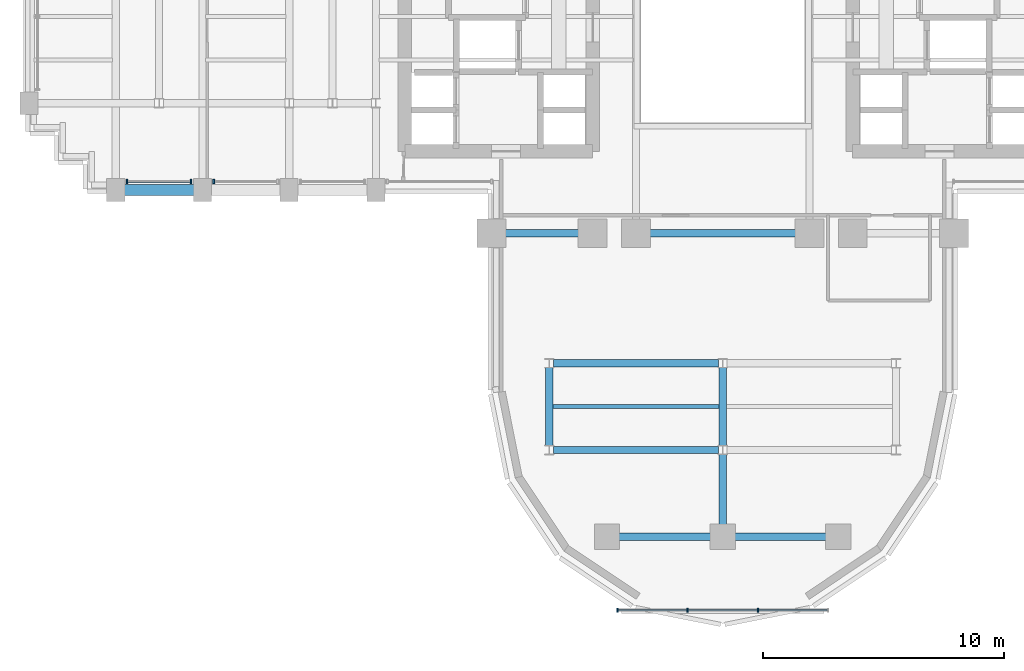
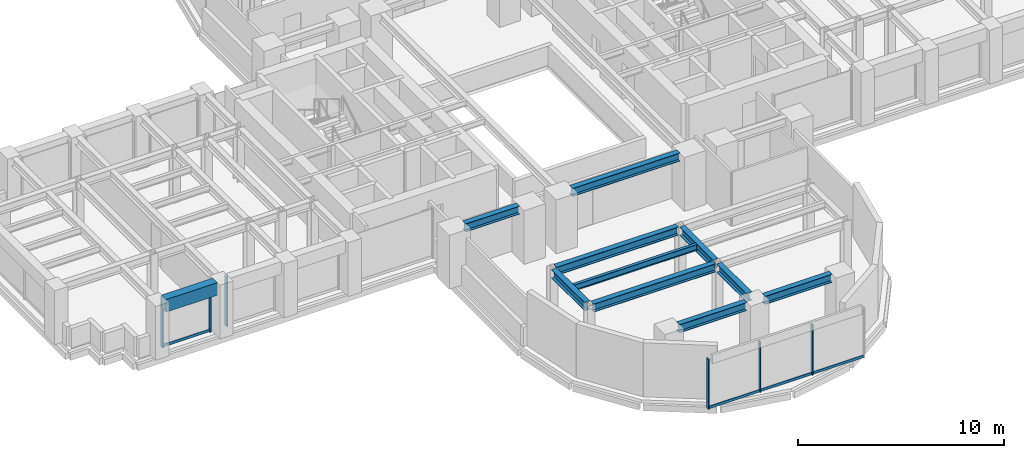
# One storey, part 3 of 16: 11 beams, 10 members, 3 elements without a shape of their own.
"""IFC4 building model written with IfcOpenShell, lengths in metres."""

from ifc_helpers import new_model, si_unit, direction, frame, origin, origin_2d, place, context, subcontext, project, spatial, rectangle, i_section, extrude, source, transform, mapped, material, material_profile, profile_set, type_object, element, aggregate, save


model = new_model("IFC4")

# Units and contexts
model_context = context("Model", 3, precision=1e-05, world=origin(), true_north=direction((0.0, 1.0)))
body_context = subcontext(model_context, "Body", "Model", "MODEL_VIEW")
ifc_project = project(units=[si_unit("LENGTHUNIT", "METRE"), si_unit("AREAUNIT", "SQUARE_METRE"), si_unit("VOLUMEUNIT", "CUBIC_METRE"), si_unit("PLANEANGLEUNIT", "RADIAN"), si_unit("MASSUNIT", "GRAM", prefix="KILO")], contexts=[model_context])

# Site, building, storey
site_placement = place(None, origin())
site = spatial("IfcSite", under=ifc_project, at=site_placement, CompositionType="ELEMENT")
building_placement = place(site_placement, origin())
building = spatial("IfcBuilding", under=site, at=building_placement, Name="Keilestroom Media Tower", CompositionType="ELEMENT")
storey_placement = place(building_placement, frame((0.0, 0.0, 68.0)))
storey = spatial("IfcBuildingStorey", under=building, at=storey_placement, Name="L17", CompositionType="ELEMENT", Elevation=68.0)

# Beams
ifc_material_1 = material(Name="Precast concrete C40/50", Category="concrete")
ifc_material_profile_1 = material_profile(ifc_material_1, rectangle(XDim=0.449951171875, YDim=0.75, at=origin_2d()), Name="PC 450x750")
ifc_profile_set_1 = profile_set([ifc_material_profile_1], Name="Precast concrete C40/50")
beam_type_1 = type_object("IfcBeamType", Name="Perimeter-Spandrel-Beam-PC-450x750", PredefinedType="SPANDREL", material=ifc_profile_set_1)
shared_shape_1 = source(origin(), body_context, "Body", "SweptSolid", [
    extrude(rectangle(XDim=0.449951171875, YDim=0.75, at=origin_2d()), origin(), (0.0, 0.0, 1.0), 2.889892578125),
])
beam_1_placement = place(storey_placement, frame((-24.844970703125, -7.199951171875, 2.824951171875), z_axis=(1.0, 0.0, 0.0), x_axis=(0.0, 1.0, 0.0)))
element("IfcBeam", 1, at=beam_1_placement, inside=storey, type_object=beam_type_1, Name="L17 Beam SPB-1 BM-L17-EW-012", PredefinedType="SPANDREL", context=body_context, shape_type="MappedRepresentation", body=[
    mapped(shared_shape_1, transform((0.0, 0.0, 0.0), x_axis=(1.0, 0.0, 0.0), y_axis=(0.0, 1.0, 0.0), z_axis=(0.0, 0.0, 1.0), scale=1.0)),
])
ifc_material_2 = material(Name="Steel S355", Category="steel")
ifc_material_profile_2 = material_profile(ifc_material_2, i_section(OverallWidth=0.300048828125, OverallDepth=0.5, WebThickness=0.012451171875, FlangeThickness=0.028076171875, at=origin_2d()), Name="HEB 500")
ifc_profile_set_2 = profile_set([ifc_material_profile_2], Name="Steel S355")
beam_type_2 = type_object("IfcBeamType", Name="Primary-Structural-Girder-HEB-500", PredefinedType="BEAM", material=ifc_profile_set_2)
shared_shape_2 = source(origin(), body_context, "Body", "SweptSolid", [
    extrude(i_section(OverallWidth=0.300048828125, OverallDepth=0.5, WebThickness=0.012451171875, FlangeThickness=0.028076171875, at=origin_2d()), origin(), (0.0, 0.0, 1.0), 3.23291015625),
])
for number, where, z_axis, x_axis, name in (
    (2, (-7.199951171875, -17.81640625, 2.949951171875), (0.0, 1.0, 0.0), (-1.0, 0.0, 0.0), "L17 Beam BG-6 BM-L17-NS-063"),
    (3, (0.0, -17.81640625, 2.949951171875), (0.0, 1.0, 0.0), (-1.0, 0.0, 0.0), "L17 Beam BG-6 BM-L17-NS-068"),
):
    element("IfcBeam", number, at=place(storey_placement, frame(where, z_axis=z_axis, x_axis=x_axis)), inside=storey, type_object=beam_type_2, Name=name, PredefinedType="BEAM", context=body_context, shape_type="MappedRepresentation", body=[
        mapped(shared_shape_2, transform((0.0, 0.0, 0.0), x_axis=(1.0, 0.0, 0.0), y_axis=(0.0, 1.0, 0.0), z_axis=(0.0, 0.0, 1.0), scale=1.0)),
    ])
shared_shape_3 = source(origin(), body_context, "Body", "SweptSolid", [
    extrude(i_section(OverallWidth=0.300048828125, OverallDepth=0.5, WebThickness=0.012451171875, FlangeThickness=0.028076171875, at=origin_2d()), origin(), (0.0, 0.0, 1.0), 2.911376953125),
])
beam_2_placement = place(storey_placement, frame((0.0, -21.094970703125, 2.949951171875), z_axis=(0.0, 1.0, 0.0), x_axis=(-1.0, 0.0, 0.0)))
element("IfcBeam", 4, at=beam_2_placement, inside=storey, type_object=beam_type_2, Name="L17 Beam BG-6 BM-L17-NS-067", PredefinedType="BEAM", context=body_context, shape_type="MappedRepresentation", body=[
    mapped(shared_shape_3, transform((0.0, 0.0, 0.0), x_axis=(1.0, 0.0, 0.0), y_axis=(0.0, 1.0, 0.0), z_axis=(0.0, 0.0, 1.0), scale=1.0)),
])
ifc_material_profile_3 = material_profile(ifc_material_2, i_section(OverallWidth=0.300048828125, OverallDepth=0.489990234375, WebThickness=0.011962890625, FlangeThickness=0.02294921875, at=origin_2d()), Name="HEA 500")
ifc_profile_set_3 = profile_set([ifc_material_profile_3], Name="Steel S355")
beam_type_3 = type_object("IfcBeamType", Name="Primary-Structural-Girder-HEA-500", PredefinedType="BEAM", material=ifc_profile_set_3)
shared_shape_4 = source(origin(), body_context, "Body", "SweptSolid", [
    extrude(i_section(OverallWidth=0.300048828125, OverallDepth=0.489990234375, WebThickness=0.011962890625, FlangeThickness=0.02294921875, at=origin_2d()), origin(), (0.0, 0.0, 1.0), 3.7900390625),
])
for number, where, z_axis, x_axis, name in (
    (5, (-4.294921875, -21.60009765625, 2.955078125), (1.0, 0.0, 0.0), (0.0, 1.0, 0.0), "L17 Beam BG-10 BM-L17-EW-001"),
    (6, (0.5048828125, -21.60009765625, 2.955078125), (1.0, 0.0, 0.0), (0.0, 1.0, 0.0), "L17 Beam BG-10 BM-L17-EW-002"),
):
    element("IfcBeam", number, at=place(storey_placement, frame(where, z_axis=z_axis, x_axis=x_axis)), inside=storey, type_object=beam_type_3, Name=name, PredefinedType="BEAM", context=body_context, shape_type="MappedRepresentation", body=[
        mapped(shared_shape_4, transform((0.0, 0.0, 0.0), x_axis=(1.0, 0.0, 0.0), y_axis=(0.0, 1.0, 0.0), z_axis=(0.0, 0.0, 1.0), scale=1.0)),
    ])
shared_shape_5 = source(origin(), body_context, "Body", "SweptSolid", [
    extrude(i_section(OverallWidth=0.300048828125, OverallDepth=0.489990234375, WebThickness=0.011962890625, FlangeThickness=0.02294921875, at=origin_2d()), origin(), (0.0, 0.0, 1.0), 6.836181640625),
])
for number, where, z_axis, x_axis, name in (
    (7, (-7.01806640625, -18.0, 2.955078125), (1.0, 0.0, 0.0), (0.0, 1.0, 0.0), "L17 Beam BG-10 BM-L17-EW-003"),
    (8, (-7.01806640625, -14.39990234375, 2.955078125), (1.0, 0.0, 0.0), (0.0, 1.0, 0.0), "L17 Beam BG-10 BM-L17-EW-005"),
):
    element("IfcBeam", number, at=place(storey_placement, frame(where, z_axis=z_axis, x_axis=x_axis)), inside=storey, type_object=beam_type_3, Name=name, PredefinedType="BEAM", context=body_context, shape_type="MappedRepresentation", body=[
        mapped(shared_shape_5, transform((0.0, 0.0, 0.0), x_axis=(1.0, 0.0, 0.0), y_axis=(0.0, 1.0, 0.0), z_axis=(0.0, 0.0, 1.0), scale=1.0)),
    ])
shared_shape_6 = source(origin(), body_context, "Body", "SweptSolid", [
    extrude(i_section(OverallWidth=0.300048828125, OverallDepth=0.489990234375, WebThickness=0.011962890625, FlangeThickness=0.02294921875, at=origin_2d()), origin(), (0.0, 0.0, 1.0), 3.0400390625),
])
beam_3_placement = place(storey_placement, frame((-9.02001953125, -9.0, 2.955078125), z_axis=(1.0, 0.0, 0.0), x_axis=(0.0, 1.0, 0.0)))
element("IfcBeam", 9, at=beam_3_placement, inside=storey, type_object=beam_type_3, Name="L17 Beam BG-10 BM-L17-EW-007", PredefinedType="BEAM", context=body_context, shape_type="MappedRepresentation", body=[
    mapped(shared_shape_6, transform((0.0, 0.0, 0.0), x_axis=(1.0, 0.0, 0.0), y_axis=(0.0, 1.0, 0.0), z_axis=(0.0, 0.0, 1.0), scale=1.0)),
])
shared_shape_7 = source(origin(), body_context, "Body", "SweptSolid", [
    extrude(i_section(OverallWidth=0.300048828125, OverallDepth=0.489990234375, WebThickness=0.011962890625, FlangeThickness=0.02294921875, at=origin_2d()), origin(), (0.0, 0.0, 1.0), 6.0400390625),
])
beam_4_placement = place(storey_placement, frame((-3.02001953125, -9.0, 2.955078125), z_axis=(1.0, 0.0, 0.0), x_axis=(0.0, 1.0, 0.0)))
element("IfcBeam", 10, at=beam_4_placement, inside=storey, type_object=beam_type_3, Name="L17 Beam BG-10 BM-L17-EW-009", PredefinedType="BEAM", context=body_context, shape_type="MappedRepresentation", body=[
    mapped(shared_shape_7, transform((0.0, 0.0, 0.0), x_axis=(1.0, 0.0, 0.0), y_axis=(0.0, 1.0, 0.0), z_axis=(0.0, 0.0, 1.0), scale=1.0)),
])
ifc_material_profile_4 = material_profile(ifc_material_2, i_section(OverallWidth=0.169921875, OverallDepth=0.360107421875, WebThickness=0.008056640625, FlangeThickness=0.0126953125, at=origin_2d()), Name="IPE 360")
ifc_profile_set_4 = profile_set([ifc_material_profile_4], Name="Steel S355")
beam_type_4 = type_object("IfcBeamType", Name="Secondary-Floor-Joist-IPE-360", PredefinedType="JOIST", material=ifc_profile_set_4)
shared_shape_8 = source(origin(), body_context, "Body", "SweptSolid", [
    extrude(i_section(OverallWidth=0.169921875, OverallDepth=0.360107421875, WebThickness=0.008056640625, FlangeThickness=0.0126953125, at=origin_2d()), origin(), (0.0, 0.0, 1.0), 6.940185546875),
])
beam_5_placement = place(storey_placement, frame((-7.070068359375, -16.199951171875, 3.02001953125), z_axis=(1.0, 0.0, 0.0), x_axis=(0.0, 1.0, 0.0)))
element("IfcBeam", 11, at=beam_5_placement, inside=storey, type_object=beam_type_4, Name="L17 Beam BJ-5 JST-L17-087", PredefinedType="JOIST", context=body_context, shape_type="MappedRepresentation", body=[
    mapped(shared_shape_8, transform((0.0, 0.0, 0.0), x_axis=(1.0, 0.0, 0.0), y_axis=(0.0, 1.0, 0.0), z_axis=(0.0, 0.0, 1.0), scale=1.0)),
])

# Curtain wall, members
ifc_material_3 = material(Name="Anodised Aluminium Alloy", Category="aluminium")
curtain_wall_type_1 = type_object("IfcCurtainWallType", Name="Unitised-Curtain-Wall-CW-1", PredefinedType="NOTDEFINED", material=ifc_material_3)
curtain_wall_1_placement = place(storey_placement, origin())
curtain_wall_1 = element("IfcCurtainWall", 12, at=curtain_wall_1_placement, inside=storey, type_object=curtain_wall_type_1, Name="L17 Curtain Wall CW-1 CW-L17-SW-1", PredefinedType="NOTDEFINED")
ifc_material_profile_5 = material_profile(ifc_material_3, rectangle(XDim=0.070068359375, YDim=0.199951171875, at=origin_2d()), Name="ALU MULLION 70x200")
ifc_profile_set_5 = profile_set([ifc_material_profile_5], Name="Anodised Aluminium Alloy")
member_type_1 = type_object("IfcMemberType", Name="Curtain-Wall-Mullion-CW-1", PredefinedType="MULLION", material=ifc_profile_set_5)
shared_shape_9 = source(origin(), body_context, "Body", "SweptSolid", [
    extrude(rectangle(XDim=0.070068359375, YDim=0.199951171875, at=origin_2d()), origin(), (0.0, 0.0, 1.0), 2.97998046875),
])
member_1_placement = place(storey_placement, frame((-24.72998046875, -6.85009765625, 0.0), z_axis=(0.0, 0.0, 1.0), x_axis=(1.0, 0.0, 0.0)))
member_1 = element("IfcMember", 13, at=member_1_placement, type_object=member_type_1, Name="CW-1 Mullion 00", PredefinedType="MULLION", context=body_context, shape_type="MappedRepresentation", body=[
    mapped(shared_shape_9, transform((0.0, 0.0, 0.0), x_axis=(1.0, 0.0, 0.0), y_axis=(0.0, 1.0, 0.0), z_axis=(0.0, 0.0, 1.0), scale=1.0)),
])
member_2_placement = place(storey_placement, frame((-22.070068359375, -6.85009765625, 0.0), z_axis=(0.0, 0.0, 1.0), x_axis=(1.0, 0.0, 0.0)))
member_2 = element("IfcMember", 14, at=member_2_placement, type_object=member_type_1, Name="CW-1 Mullion 01", PredefinedType="MULLION", context=body_context, shape_type="MappedRepresentation", body=[
    mapped(shared_shape_9, transform((0.0, 0.0, 0.0), x_axis=(1.0, 0.0, 0.0), y_axis=(0.0, 1.0, 0.0), z_axis=(0.0, 0.0, 1.0), scale=1.0)),
])

# Curtain wall, member
curtain_wall_2_placement = place(storey_placement, origin())
curtain_wall_2 = element("IfcCurtainWall", 15, at=curtain_wall_2_placement, inside=storey, type_object=curtain_wall_type_1, Name="L17 Curtain Wall CW-1 CW-L17-SW-2", PredefinedType="NOTDEFINED")
member_3_placement = place(storey_placement, frame((-21.1298828125, -6.85009765625, 0.0), z_axis=(0.0, 0.0, 1.0), x_axis=(1.0, 0.0, 0.0)))
member_3 = element("IfcMember", 16, at=member_3_placement, type_object=member_type_1, Name="CW-1 Mullion 00", PredefinedType="MULLION", context=body_context, shape_type="MappedRepresentation", body=[
    mapped(shared_shape_9, transform((0.0, 0.0, 0.0), x_axis=(1.0, 0.0, 0.0), y_axis=(0.0, 1.0, 0.0), z_axis=(0.0, 0.0, 1.0), scale=1.0)),
])
aggregate(curtain_wall_2, [member_3])

# Member
ifc_material_profile_6 = material_profile(ifc_material_3, rectangle(XDim=0.06494140625, YDim=0.14990234375, at=origin_2d()), Name="ALU TRANSOM 65x150")
ifc_profile_set_6 = profile_set([ifc_material_profile_6], Name="Anodised Aluminium Alloy")
member_type_2 = type_object("IfcMemberType", Name="Curtain-Wall-Transom-CW-1", PredefinedType="USERDEFINED", material=ifc_profile_set_6)
shared_shape_10 = source(origin(), body_context, "Body", "SweptSolid", [
    extrude(rectangle(XDim=0.06494140625, YDim=0.14990234375, at=origin_2d()), origin(), (0.0, 0.0, 1.0), 2.593994140625),
])
member_4_placement = place(storey_placement, frame((-24.697021484375, -6.85009765625, 0.074951171875), z_axis=(1.0, 0.0, 0.0), x_axis=(0.0, 1.0, 0.0)))
member_4 = element("IfcMember", 17, at=member_4_placement, type_object=member_type_2, Name="CW-1 Transom 00.1", ObjectType="TRANSOM", PredefinedType="USERDEFINED", context=body_context, shape_type="MappedRepresentation", body=[
    mapped(shared_shape_10, transform((0.0, 0.0, 0.0), x_axis=(1.0, 0.0, 0.0), y_axis=(0.0, 1.0, 0.0), z_axis=(0.0, 0.0, 1.0), scale=1.0)),
])

aggregate(curtain_wall_1, [member_1, member_2, member_4])

# Curtain wall, members
curtain_wall_type_2 = type_object("IfcCurtainWallType", Name="Unitised-Curtain-Wall-CW-6", PredefinedType="NOTDEFINED", material=ifc_material_3)
curtain_wall_3_placement = place(storey_placement, origin())
curtain_wall_3 = element("IfcCurtainWall", 18, at=curtain_wall_3_placement, inside=storey, type_object=curtain_wall_type_2, Name="L17 Curtain Wall CW-6 CW-L17-LS-1", PredefinedType="NOTDEFINED")
ifc_material_profile_7 = material_profile(ifc_material_3, rectangle(XDim=0.06494140625, YDim=0.179931640625, at=origin_2d()), Name="ALU MULLION 65x180")
ifc_profile_set_7 = profile_set([ifc_material_profile_7], Name="Anodised Aluminium Alloy")
member_type_3 = type_object("IfcMemberType", Name="Curtain-Wall-Mullion-CW-6", PredefinedType="MULLION", material=ifc_profile_set_7)
shared_shape_11 = source(origin(), body_context, "Body", "SweptSolid", [
    extrude(rectangle(XDim=0.06494140625, YDim=0.179931640625, at=origin_2d()), origin(), (0.0, 0.0, 1.0), 2.97998046875),
])
member_5_placement = place(storey_placement, frame((-4.367431640625, -24.64990234375, 0.0), z_axis=(0.0, 0.0, 1.0), x_axis=(1.0, 0.0, 0.0)))
member_5 = element("IfcMember", 19, at=member_5_placement, type_object=member_type_3, Name="CW-6 Mullion 00", PredefinedType="MULLION", context=body_context, shape_type="MappedRepresentation", body=[
    mapped(shared_shape_11, transform((0.0, 0.0, 0.0), x_axis=(1.0, 0.0, 0.0), y_axis=(0.0, 1.0, 0.0), z_axis=(0.0, 0.0, 1.0), scale=1.0)),
])
member_6_placement = place(storey_placement, frame((-1.466796875, -24.64990234375, 0.0), z_axis=(0.0, 0.0, 1.0), x_axis=(1.0, 0.0, 0.0)))
member_6 = element("IfcMember", 20, at=member_6_placement, type_object=member_type_3, Name="CW-6 Mullion 01", PredefinedType="MULLION", context=body_context, shape_type="MappedRepresentation", body=[
    mapped(shared_shape_11, transform((0.0, 0.0, 0.0), x_axis=(1.0, 0.0, 0.0), y_axis=(0.0, 1.0, 0.0), z_axis=(0.0, 0.0, 1.0), scale=1.0)),
])
member_7_placement = place(storey_placement, frame((1.466796875, -24.64990234375, 0.0), z_axis=(0.0, 0.0, 1.0), x_axis=(1.0, 0.0, 0.0)))
member_7 = element("IfcMember", 21, at=member_7_placement, type_object=member_type_3, Name="CW-6 Mullion 02", PredefinedType="MULLION", context=body_context, shape_type="MappedRepresentation", body=[
    mapped(shared_shape_11, transform((0.0, 0.0, 0.0), x_axis=(1.0, 0.0, 0.0), y_axis=(0.0, 1.0, 0.0), z_axis=(0.0, 0.0, 1.0), scale=1.0)),
])
ifc_material_profile_8 = material_profile(ifc_material_3, rectangle(XDim=0.06494140625, YDim=0.14990234375, at=origin_2d()), Name="ALU TRANSOM 65x150")
ifc_profile_set_8 = profile_set([ifc_material_profile_8], Name="Anodised Aluminium Alloy")
member_type_4 = type_object("IfcMemberType", Name="Curtain-Wall-Transom-CW-6", PredefinedType="USERDEFINED", material=ifc_profile_set_8)
shared_shape_12 = source(origin(), body_context, "Body", "SweptSolid", [
    extrude(rectangle(XDim=0.06494140625, YDim=0.14990234375, at=origin_2d()), origin(), (0.0, 0.0, 1.0), 2.839599609375),
])
member_8_placement = place(storey_placement, frame((-4.3369140625, -24.64990234375, 0.074951171875), z_axis=(1.0, 0.0, 0.0), x_axis=(0.0, 1.0, 0.0)))
member_8 = element("IfcMember", 22, at=member_8_placement, type_object=member_type_4, Name="CW-6 Transom 00.1", ObjectType="TRANSOM", PredefinedType="USERDEFINED", context=body_context, shape_type="MappedRepresentation", body=[
    mapped(shared_shape_12, transform((0.0, 0.0, 0.0), x_axis=(1.0, 0.0, 0.0), y_axis=(0.0, 1.0, 0.0), z_axis=(0.0, 0.0, 1.0), scale=1.0)),
])
member_9_placement = place(storey_placement, frame((1.497314453125, -24.64990234375, 0.074951171875), z_axis=(1.0, 0.0, 0.0), x_axis=(0.0, 1.0, 0.0)))
member_9 = element("IfcMember", 23, at=member_9_placement, type_object=member_type_4, Name="CW-6 Transom 02.1", ObjectType="TRANSOM", PredefinedType="USERDEFINED", context=body_context, shape_type="MappedRepresentation", body=[
    mapped(shared_shape_12, transform((0.0, 0.0, 0.0), x_axis=(1.0, 0.0, 0.0), y_axis=(0.0, 1.0, 0.0), z_axis=(0.0, 0.0, 1.0), scale=1.0)),
])
shared_shape_13 = source(origin(), body_context, "Body", "SweptSolid", [
    extrude(rectangle(XDim=0.06494140625, YDim=0.14990234375, at=origin_2d()), origin(), (0.0, 0.0, 1.0), 2.87255859375),
])
member_10_placement = place(storey_placement, frame((-1.436279296875, -24.64990234375, 0.074951171875), z_axis=(1.0, 0.0, 0.0), x_axis=(0.0, 1.0, 0.0)))
member_10 = element("IfcMember", 24, at=member_10_placement, type_object=member_type_4, Name="CW-6 Transom 01.1", ObjectType="TRANSOM", PredefinedType="USERDEFINED", context=body_context, shape_type="MappedRepresentation", body=[
    mapped(shared_shape_13, transform((0.0, 0.0, 0.0), x_axis=(1.0, 0.0, 0.0), y_axis=(0.0, 1.0, 0.0), z_axis=(0.0, 0.0, 1.0), scale=1.0)),
])
aggregate(curtain_wall_3, [member_5, member_6, member_7, member_8, member_10, member_9])

save(model, "model.ifc")
